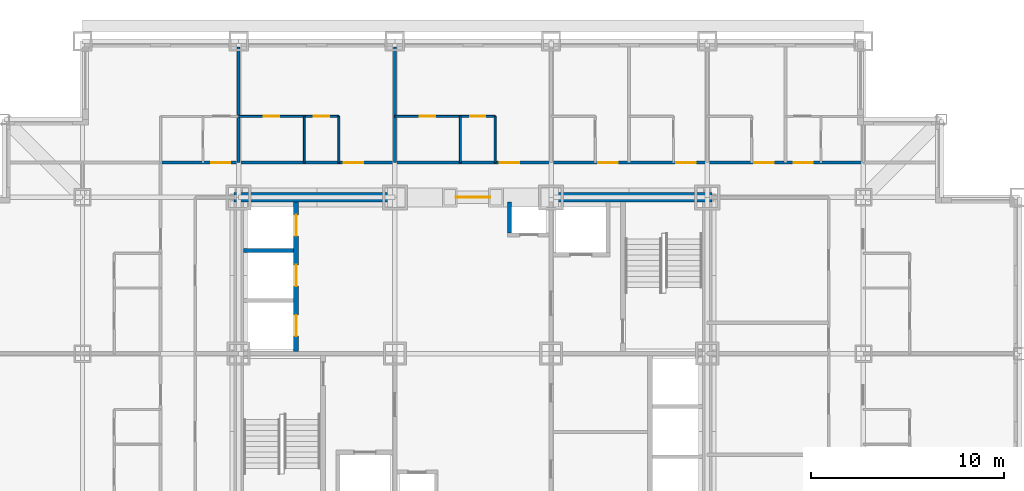
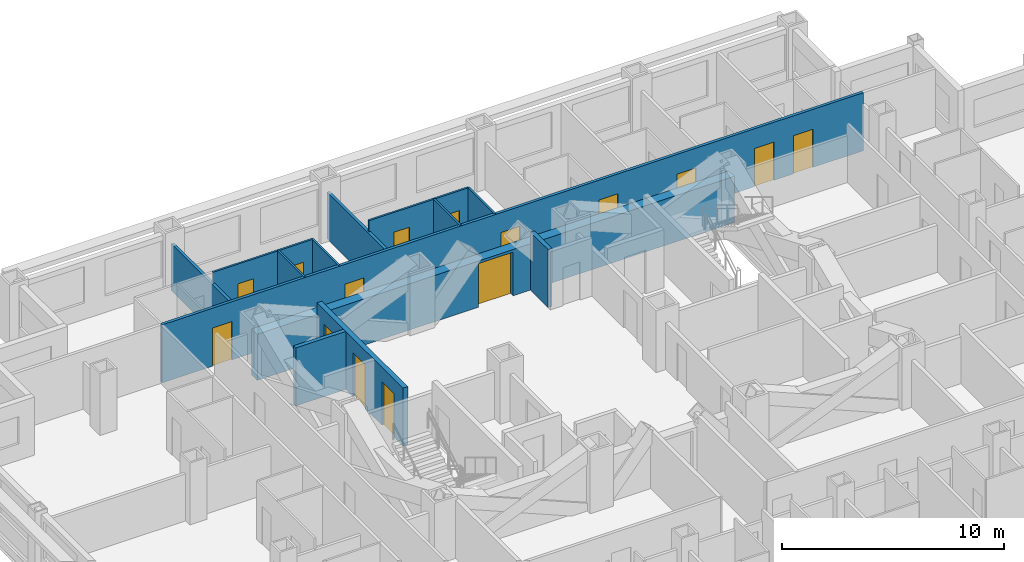
# One storey, part 8 of 11: 15 doors, 13 walls, 15 openings.
"""IFC4 building model written with IfcOpenShell, lengths in metres."""

from ifc_helpers import new_model, si_unit, direction, frame, frame_2d, origin, place, context, subcontext, project, spatial, rectangle, extrude, material, layer, layer_set, type_object, element, fill, save


model = new_model("IFC4")

# Units and contexts
model_context = context("Model", 3, precision=1e-05, world=origin(), true_north=direction((0.0, 1.0)))
body_context = subcontext(model_context, "Body", "Model", "MODEL_VIEW")
ifc_project = project(units=[si_unit("LENGTHUNIT", "METRE"), si_unit("AREAUNIT", "SQUARE_METRE"), si_unit("VOLUMEUNIT", "CUBIC_METRE"), si_unit("PLANEANGLEUNIT", "RADIAN"), si_unit("MASSUNIT", "GRAM", prefix="KILO")], contexts=[model_context])

# Site, building, storey
site_placement = place(None, origin())
site = spatial("IfcSite", under=ifc_project, at=site_placement, CompositionType="ELEMENT")
building_placement = place(site_placement, origin())
building = spatial("IfcBuilding", under=site, at=building_placement, Name="Kopane Lantern Tower", CompositionType="ELEMENT")
storey_placement = place(building_placement, frame((0.0, 0.0, 73.800048828125)))
storey = spatial("IfcBuildingStorey", under=building, at=storey_placement, Name="L18", CompositionType="ELEMENT", Elevation=73.800048828125)

# Wall, openings, doors
ifc_material_1 = material(Name="Moisture-resistant board on steel studs", Category="steel")
ifc_layer_1 = layer(ifc_material_1, 0.10009765625)
ifc_layer_set_1 = layer_set([ifc_layer_1], Name="BATHROOM WALL 100")
wall_type_1 = type_object("IfcWallType", Name="BATHROOM WALL 100", PredefinedType="PARTITIONING", material=ifc_layer_set_1)
wall_1_placement = place(storey_placement, frame((16.199951171875, 44.699951171875, 0.0), z_axis=(0.0, 0.0, 1.0), x_axis=(1.0, 0.0, 0.0)))
wall_1 = element("IfcWall", 1, at=wall_1_placement, inside=storey, type_object=wall_type_1, Name="Bathroom Wall 100 L18", PredefinedType="PARTITIONING", context=body_context, shape_type="SweptSolid", body=[
    extrude(rectangle(XDim=5.199951171875, YDim=0.10009765625, at=frame_2d((2.60009765625, 0.0))), origin(), (0.0, 0.0, 1.0), 3.18994140625),
])
opening_1_placement = place(wall_1_placement, frame((1.300048828125, 0.0, 0.0)))
opening_1 = element("IfcOpeningElement", 2, at=opening_1_placement, cuts=wall_1, Name="Opening L18-027", PredefinedType="OPENING", context=body_context, shape_type="SweptSolid", body=[
    extrude(rectangle(XDim=0.800048828125, YDim=2.10009765625, at=frame_2d((0.39990234375, 1.050048828125))), frame((0.0, 0.06005859375, 0.0), z_axis=(0.0, -1.0, 0.0), x_axis=(1.0, 0.0, 0.0)), (0.0, 0.0, 1.0), 0.1201171875),
])
opening_2_placement = place(wall_1_placement, frame((3.89990234375, 0.0, 0.0)))
opening_2 = element("IfcOpeningElement", 3, at=opening_2_placement, cuts=wall_1, Name="Opening L18-028", PredefinedType="OPENING", context=body_context, shape_type="SweptSolid", body=[
    extrude(rectangle(XDim=0.800048828125, YDim=2.10009765625, at=frame_2d((0.39990234375, 1.050048828125))), frame((0.0, 0.06005859375, 0.0), z_axis=(0.0, -1.0, 0.0), x_axis=(1.0, 0.0, 0.0)), (0.0, 0.0, 1.0), 0.1201171875),
])
ifc_material_2 = material(Name="Timber door set", Category="wood")
door_type_1 = type_object("IfcDoorType", Name="DOOR D2 800x2100", OperationType="SINGLE_SWING_LEFT", PredefinedType="DOOR", material=ifc_material_2)
door_1_placement = place(opening_1_placement, origin())
door_1 = element("IfcDoor", 4, at=door_1_placement, inside=storey, type_object=door_type_1, Name="Door L18-027", OperationType="SINGLE_SWING_LEFT", OverallHeight=2.10009765625, OverallWidth=0.800048828125, PredefinedType="DOOR", context=body_context, shape_type="SweptSolid", body=[
    extrude(rectangle(XDim=0.800048828125, YDim=2.10009765625, at=frame_2d((0.39990234375, 1.050048828125))), frame((0.0, 0.02490234375, 0.0), z_axis=(0.0, -1.0, 0.0), x_axis=(1.0, 0.0, 0.0)), (0.0, 0.0, 1.0), 0.050048828125),
])
fill(opening_1, door_1)
door_2_placement = place(opening_2_placement, origin())
door_2 = element("IfcDoor", 5, at=door_2_placement, inside=storey, type_object=door_type_1, Name="Door L18-028", OperationType="SINGLE_SWING_LEFT", OverallHeight=2.10009765625, OverallWidth=0.800048828125, PredefinedType="DOOR", context=body_context, shape_type="SweptSolid", body=[
    extrude(rectangle(XDim=0.800048828125, YDim=2.10009765625, at=frame_2d((0.39990234375, 1.050048828125))), frame((0.0, 0.02490234375, 0.0), z_axis=(0.0, -1.0, 0.0), x_axis=(1.0, 0.0, 0.0)), (0.0, 0.0, 1.0), 0.050048828125),
])
fill(opening_2, door_2)

# Walls
for number, where, z_axis, x_axis, name in (
    (6, (19.60009765625, 42.300048828125, 0.0), (0.0, 0.0, 1.0), (0.0, 1.0, 0.0), "Bathroom Wall 100 L18"),
    (7, (21.39990234375, 42.300048828125, 0.0), (0.0, 0.0, 1.0), (0.0, 1.0, 0.0), "Bathroom Wall 100 L18"),
):
    element("IfcWall", number, at=place(storey_placement, frame(where, z_axis=z_axis, x_axis=x_axis)), inside=storey, type_object=wall_type_1, Name=name, PredefinedType="PARTITIONING", context=body_context, shape_type="SweptSolid", body=[
        extrude(rectangle(XDim=2.39990234375, YDim=0.10009765625, at=frame_2d((1.199951171875, 0.0))), origin(), (0.0, 0.0, 1.0), 3.18994140625),
    ])

# Wall, openings, doors
wall_2_placement = place(storey_placement, frame((24.300048828125, 44.699951171875, 0.0), z_axis=(0.0, 0.0, 1.0), x_axis=(1.0, 0.0, 0.0)))
wall_2 = element("IfcWall", 8, at=wall_2_placement, inside=storey, type_object=wall_type_1, Name="Bathroom Wall 100 L18", PredefinedType="PARTITIONING", context=body_context, shape_type="SweptSolid", body=[
    extrude(rectangle(XDim=5.199951171875, YDim=0.10009765625, at=frame_2d((2.60009765625, 0.0))), origin(), (0.0, 0.0, 1.0), 3.18994140625),
])
opening_3_placement = place(wall_2_placement, frame((1.300048828125, 0.0, 0.0)))
opening_3 = element("IfcOpeningElement", 9, at=opening_3_placement, cuts=wall_2, Name="Opening L18-030", PredefinedType="OPENING", context=body_context, shape_type="SweptSolid", body=[
    extrude(rectangle(XDim=0.800048828125, YDim=2.10009765625, at=frame_2d((0.39990234375, 1.050048828125))), frame((0.0, 0.06005859375, 0.0), z_axis=(0.0, -1.0, 0.0), x_axis=(1.0, 0.0, 0.0)), (0.0, 0.0, 1.0), 0.1201171875),
])
opening_4_placement = place(wall_2_placement, frame((3.89990234375, 0.0, 0.0)))
opening_4 = element("IfcOpeningElement", 10, at=opening_4_placement, cuts=wall_2, Name="Opening L18-031", PredefinedType="OPENING", context=body_context, shape_type="SweptSolid", body=[
    extrude(rectangle(XDim=0.800048828125, YDim=2.10009765625, at=frame_2d((0.39990234375, 1.050048828125))), frame((0.0, 0.06005859375, 0.0), z_axis=(0.0, -1.0, 0.0), x_axis=(1.0, 0.0, 0.0)), (0.0, 0.0, 1.0), 0.1201171875),
])
door_3_placement = place(opening_3_placement, origin())
door_3 = element("IfcDoor", 11, at=door_3_placement, inside=storey, type_object=door_type_1, Name="Door L18-030", OperationType="SINGLE_SWING_LEFT", OverallHeight=2.10009765625, OverallWidth=0.800048828125, PredefinedType="DOOR", context=body_context, shape_type="SweptSolid", body=[
    extrude(rectangle(XDim=0.800048828125, YDim=2.10009765625, at=frame_2d((0.39990234375, 1.050048828125))), frame((0.0, 0.02490234375, 0.0), z_axis=(0.0, -1.0, 0.0), x_axis=(1.0, 0.0, 0.0)), (0.0, 0.0, 1.0), 0.050048828125),
])
fill(opening_3, door_3)
door_4_placement = place(opening_4_placement, origin())
door_4 = element("IfcDoor", 12, at=door_4_placement, inside=storey, type_object=door_type_1, Name="Door L18-031", OperationType="SINGLE_SWING_LEFT", OverallHeight=2.10009765625, OverallWidth=0.800048828125, PredefinedType="DOOR", context=body_context, shape_type="SweptSolid", body=[
    extrude(rectangle(XDim=0.800048828125, YDim=2.10009765625, at=frame_2d((0.39990234375, 1.050048828125))), frame((0.0, 0.02490234375, 0.0), z_axis=(0.0, -1.0, 0.0), x_axis=(1.0, 0.0, 0.0)), (0.0, 0.0, 1.0), 0.050048828125),
])
fill(opening_4, door_4)

# Walls
for number, where, z_axis, x_axis, name in (
    (13, (27.699951171875, 42.300048828125, 0.0), (0.0, 0.0, 1.0), (0.0, 1.0, 0.0), "Bathroom Wall 100 L18"),
    (14, (29.5, 42.300048828125, 0.0), (0.0, 0.0, 1.0), (0.0, 1.0, 0.0), "Bathroom Wall 100 L18"),
):
    element("IfcWall", number, at=place(storey_placement, frame(where, z_axis=z_axis, x_axis=x_axis)), inside=storey, type_object=wall_type_1, Name=name, PredefinedType="PARTITIONING", context=body_context, shape_type="SweptSolid", body=[
        extrude(rectangle(XDim=2.39990234375, YDim=0.10009765625, at=frame_2d((1.199951171875, 0.0))), origin(), (0.0, 0.0, 1.0), 3.18994140625),
    ])

# Wall, opening, door
ifc_material_3 = material(Name="Gypsum shaft wall EI 120", Category="gypsum")
ifc_layer_2 = layer(ifc_material_3, 0.5)
ifc_layer_set_2 = layer_set([ifc_layer_2], Name="CORE PERIMETER WALL 500 EI 120")
wall_type_2 = type_object("IfcWallType", Name="CORE PERIMETER WALL 500 EI 120", PredefinedType="SOLIDWALL", material=ifc_layer_set_2)
wall_3_placement = place(storey_placement, frame((15.949951171875, 40.5, 0.0), z_axis=(0.0, 0.0, 1.0), x_axis=(1.0, 0.0, 0.0)))
wall_3 = element("IfcWall", 15, at=wall_3_placement, inside=storey, type_object=wall_type_2, Name="Core shaft wall L18 PN", PredefinedType="SOLIDWALL", context=body_context, shape_type="SweptSolid", body=[
    extrude(rectangle(XDim=24.800048828125, YDim=0.5, at=frame_2d((12.39990234375, 0.0))), origin(), (0.0, 0.0, 1.0), 2.5400390625),
])
opening_5_placement = place(wall_3_placement, frame((11.5, 0.0, 0.0)))
opening_5 = element("IfcOpeningElement", 16, at=opening_5_placement, cuts=wall_3, Name="Opening 18.CE-N", PredefinedType="OPENING", context=body_context, shape_type="SweptSolid", body=[
    extrude(rectangle(XDim=1.800048828125, YDim=2.39990234375, at=frame_2d((0.89990234375, 1.199951171875))), frame((0.0, 0.260009765625, 0.0), z_axis=(0.0, -1.0, 0.0), x_axis=(1.0, 0.0, 0.0)), (0.0, 0.0, 1.0), 0.52001953125),
])
ifc_material_4 = material(Name="Steel door set", Category="steel")
door_type_2 = type_object("IfcDoorType", Name="CORE ENTRY DOOR 1800x2400 FD60S", OperationType="DOUBLE_DOOR_SINGLE_SWING", PredefinedType="DOOR", material=ifc_material_4)
door_5_placement = place(opening_5_placement, origin())
door_5 = element("IfcDoor", 17, at=door_5_placement, inside=storey, type_object=door_type_2, Name="Core entry door L18 north", OperationType="DOUBLE_DOOR_SINGLE_SWING", OverallHeight=2.39990234375, OverallWidth=1.800048828125, PredefinedType="DOOR", context=body_context, shape_type="SweptSolid", body=[
    extrude(rectangle(XDim=1.800048828125, YDim=2.39990234375, at=frame_2d((0.89990234375, 1.199951171875))), frame((0.0, 0.02490234375, 0.0), z_axis=(0.0, -1.0, 0.0), x_axis=(1.0, 0.0, 0.0)), (0.0, 0.0, 1.0), 0.050048828125),
])
fill(opening_5, door_5)

# Wall, openings, doors
ifc_material_5 = material(Name="Gypsum shaft wall EI 120", Category="gypsum")
ifc_layer_3 = layer(ifc_material_5, 0.25)
ifc_layer_set_3 = layer_set([ifc_layer_3], Name="CORE SHAFT WALL 250 EI 120")
wall_type_3 = type_object("IfcWallType", Name="CORE SHAFT WALL 250 EI 120", PredefinedType="SOLIDWALL", material=ifc_layer_set_3)
wall_4_placement = place(storey_placement, frame((19.175048828125, 32.5, 0.0), z_axis=(0.0, 0.0, 1.0), x_axis=(0.0, 1.0, 0.0)))
wall_4 = element("IfcWall", 18, at=wall_4_placement, inside=storey, type_object=wall_type_3, Name="Core shaft wall L18 XLH", PredefinedType="SOLIDWALL", context=body_context, shape_type="SweptSolid", body=[
    extrude(rectangle(XDim=7.75, YDim=0.25, at=frame_2d((3.875, 0.0))), origin(), (0.0, 0.0, 1.0), 3.18994140625),
])
opening_6_placement = place(wall_4_placement, frame((0.800048828125, 0.0, 0.0)))
opening_6 = element("IfcOpeningElement", 19, at=opening_6_placement, cuts=wall_4, Name="Opening 18.LD-LH1", PredefinedType="OPENING", context=body_context, shape_type="SweptSolid", body=[
    extrude(rectangle(XDim=1.10009765625, YDim=2.39990234375, at=frame_2d((0.550048828125, 1.199951171875))), frame((0.0, 0.135009765625, 0.0), z_axis=(0.0, -1.0, 0.0), x_axis=(1.0, 0.0, 0.0)), (0.0, 0.0, 1.0), 0.27001953125),
])
opening_7_placement = place(wall_4_placement, frame((3.39990234375, 0.0, 0.0)))
opening_7 = element("IfcOpeningElement", 20, at=opening_7_placement, cuts=wall_4, Name="Opening 18.LD-LH2", PredefinedType="OPENING", context=body_context, shape_type="SweptSolid", body=[
    extrude(rectangle(XDim=1.10009765625, YDim=2.39990234375, at=frame_2d((0.550048828125, 1.199951171875))), frame((0.0, 0.135009765625, 0.0), z_axis=(0.0, -1.0, 0.0), x_axis=(1.0, 0.0, 0.0)), (0.0, 0.0, 1.0), 0.27001953125),
])
opening_8_placement = place(wall_4_placement, frame((6.0, 0.0, 0.0)))
opening_8 = element("IfcOpeningElement", 21, at=opening_8_placement, cuts=wall_4, Name="Opening 18.LD-LH3", PredefinedType="OPENING", context=body_context, shape_type="SweptSolid", body=[
    extrude(rectangle(XDim=1.10009765625, YDim=2.39990234375, at=frame_2d((0.550048828125, 1.199951171875))), frame((0.0, 0.135009765625, 0.0), z_axis=(0.0, -1.0, 0.0), x_axis=(1.0, 0.0, 0.0)), (0.0, 0.0, 1.0), 0.27001953125),
])
ifc_material_6 = material(Name="Steel door set", Category="steel")
door_type_3 = type_object("IfcDoorType", Name="LIFT LANDING DOOR 1100x2400 FD60", OperationType="DOUBLE_DOOR_SLIDING", PredefinedType="DOOR", material=ifc_material_6)
door_6_placement = place(opening_6_placement, origin())
door_6 = element("IfcDoor", 22, at=door_6_placement, inside=storey, type_object=door_type_3, Name="Landing door LH1 L18", OperationType="DOUBLE_DOOR_SLIDING", OverallHeight=2.39990234375, OverallWidth=1.10009765625, PredefinedType="DOOR", context=body_context, shape_type="SweptSolid", body=[
    extrude(rectangle(XDim=1.10009765625, YDim=2.39990234375, at=frame_2d((0.550048828125, 1.199951171875))), frame((0.0, 0.02490234375, 0.0), z_axis=(0.0, -1.0, 0.0), x_axis=(1.0, 0.0, 0.0)), (0.0, 0.0, 1.0), 0.050048828125),
])
fill(opening_6, door_6)
door_7_placement = place(opening_7_placement, origin())
door_7 = element("IfcDoor", 23, at=door_7_placement, inside=storey, type_object=door_type_3, Name="Landing door LH2 L18", OperationType="DOUBLE_DOOR_SLIDING", OverallHeight=2.39990234375, OverallWidth=1.10009765625, PredefinedType="DOOR", context=body_context, shape_type="SweptSolid", body=[
    extrude(rectangle(XDim=1.10009765625, YDim=2.39990234375, at=frame_2d((0.550048828125, 1.199951171875))), frame((0.0, 0.02490234375, 0.0), z_axis=(0.0, -1.0, 0.0), x_axis=(1.0, 0.0, 0.0)), (0.0, 0.0, 1.0), 0.050048828125),
])
fill(opening_7, door_7)
door_8_placement = place(opening_8_placement, origin())
door_8 = element("IfcDoor", 24, at=door_8_placement, inside=storey, type_object=door_type_3, Name="Landing door LH3 L18", OperationType="DOUBLE_DOOR_SLIDING", OverallHeight=2.39990234375, OverallWidth=1.10009765625, PredefinedType="DOOR", context=body_context, shape_type="SweptSolid", body=[
    extrude(rectangle(XDim=1.10009765625, YDim=2.39990234375, at=frame_2d((0.550048828125, 1.199951171875))), frame((0.0, 0.02490234375, 0.0), z_axis=(0.0, -1.0, 0.0), x_axis=(1.0, 0.0, 0.0)), (0.0, 0.0, 1.0), 0.050048828125),
])
fill(opening_8, door_8)

ifc_material_7 = material(Name="Gypsum board on steel studs", Category="steel")
ifc_layer_4 = layer(ifc_material_7, 0.14990234375)
ifc_layer_set_4 = layer_set([ifc_layer_4], Name="CORRIDOR WALL 150 EI 60")
wall_type_4 = type_object("IfcWallType", Name="CORRIDOR WALL 150 EI 60", PredefinedType="PARTITIONING", material=ifc_layer_set_4)
wall_5_placement = place(storey_placement, frame((12.14990234375, 42.300048828125, 0.0), z_axis=(0.0, 0.0, 1.0), x_axis=(1.0, 0.0, 0.0)))
wall_5 = element("IfcWall", 25, at=wall_5_placement, inside=storey, type_object=wall_type_4, Name="Corridor Wall 150 Ei 60 L18", PredefinedType="PARTITIONING", context=body_context, shape_type="SweptSolid", body=[
    extrude(rectangle(XDim=36.4501953125, YDim=0.14990234375, at=frame_2d((18.22509765625, 0.0))), origin(), (0.0, 0.0, 1.0), 3.18994140625),
])
opening_9_placement = place(wall_5_placement, frame((9.5, 0.0, 0.0)))
opening_9 = element("IfcOpeningElement", 26, at=opening_9_placement, cuts=wall_5, Name="Opening L18-029", PredefinedType="OPENING", context=body_context, shape_type="SweptSolid", body=[
    extrude(rectangle(XDim=1.0, YDim=2.10009765625, at=frame_2d((0.5, 1.050048828125))), frame((0.0, 0.0849609375, 0.0), z_axis=(0.0, -1.0, 0.0), x_axis=(1.0, 0.0, 0.0)), (0.0, 0.0, 1.0), 0.169921875),
])
opening_10_placement = place(wall_5_placement, frame((17.60009765625, 0.0, 0.0)))
opening_10 = element("IfcOpeningElement", 27, at=opening_10_placement, cuts=wall_5, Name="Opening L18-032", PredefinedType="OPENING", context=body_context, shape_type="SweptSolid", body=[
    extrude(rectangle(XDim=1.0, YDim=2.10009765625, at=frame_2d((0.5, 1.050048828125))), frame((0.0, 0.0849609375, 0.0), z_axis=(0.0, -1.0, 0.0), x_axis=(1.0, 0.0, 0.0)), (0.0, 0.0, 1.0), 0.169921875),
])
opening_11_placement = place(wall_5_placement, frame((22.699951171875, 0.0, 0.0)))
opening_11 = element("IfcOpeningElement", 28, at=opening_11_placement, cuts=wall_5, Name="Opening L18-034", PredefinedType="OPENING", context=body_context, shape_type="SweptSolid", body=[
    extrude(rectangle(XDim=1.0, YDim=2.10009765625, at=frame_2d((0.5, 1.050048828125))), frame((0.0, 0.0849609375, 0.0), z_axis=(0.0, -1.0, 0.0), x_axis=(1.0, 0.0, 0.0)), (0.0, 0.0, 1.0), 0.169921875),
])
opening_12_placement = place(wall_5_placement, frame((26.75, 0.0, 0.0)))
opening_12 = element("IfcOpeningElement", 29, at=opening_12_placement, cuts=wall_5, Name="Opening L18-036", PredefinedType="OPENING", context=body_context, shape_type="SweptSolid", body=[
    extrude(rectangle(XDim=1.0, YDim=2.10009765625, at=frame_2d((0.5, 1.050048828125))), frame((0.0, 0.0849609375, 0.0), z_axis=(0.0, -1.0, 0.0), x_axis=(1.0, 0.0, 0.0)), (0.0, 0.0, 1.0), 0.169921875),
])
opening_13_placement = place(wall_5_placement, frame((30.800048828125, 0.0, 0.0)))
opening_13 = element("IfcOpeningElement", 30, at=opening_13_placement, cuts=wall_5, Name="Opening L18-038", PredefinedType="OPENING", context=body_context, shape_type="SweptSolid", body=[
    extrude(rectangle(XDim=1.0, YDim=2.10009765625, at=frame_2d((0.5, 1.050048828125))), frame((0.0, 0.0849609375, 0.0), z_axis=(0.0, -1.0, 0.0), x_axis=(1.0, 0.0, 0.0)), (0.0, 0.0, 1.0), 0.169921875),
])
opening_14_placement = place(wall_5_placement, frame((32.824951171875, 0.0, 0.0)))
opening_14 = element("IfcOpeningElement", 31, at=opening_14_placement, cuts=wall_5, Name="Opening L18-068", PredefinedType="OPENING", context=body_context, shape_type="SweptSolid", body=[
    extrude(rectangle(XDim=1.0, YDim=2.10009765625, at=frame_2d((0.5, 1.050048828125))), frame((0.0, 0.0849609375, 0.0), z_axis=(0.0, -1.0, 0.0), x_axis=(1.0, 0.0, 0.0)), (0.0, 0.0, 1.0), 0.169921875),
])
opening_15_placement = place(wall_5_placement, frame((2.625, 0.0, 0.0)))
opening_15 = element("IfcOpeningElement", 32, at=opening_15_placement, cuts=wall_5, Name="Opening L18-071", PredefinedType="OPENING", context=body_context, shape_type="SweptSolid", body=[
    extrude(rectangle(XDim=1.0, YDim=2.10009765625, at=frame_2d((0.5, 1.050048828125))), frame((0.0, 0.0849609375, 0.0), z_axis=(0.0, -1.0, 0.0), x_axis=(1.0, 0.0, 0.0)), (0.0, 0.0, 1.0), 0.169921875),
])
ifc_material_8 = material(Name="Steel door set", Category="steel")
door_type_4 = type_object("IfcDoorType", Name="DOOR D1 1000x2100 FD30S", OperationType="SINGLE_SWING_LEFT", PredefinedType="DOOR", material=ifc_material_8)
door_9_placement = place(opening_9_placement, origin())
door_9 = element("IfcDoor", 33, at=door_9_placement, inside=storey, type_object=door_type_4, Name="Door L18-029", OperationType="SINGLE_SWING_LEFT", OverallHeight=2.10009765625, OverallWidth=1.0, PredefinedType="DOOR", context=body_context, shape_type="SweptSolid", body=[
    extrude(rectangle(XDim=1.0, YDim=2.10009765625, at=frame_2d((0.5, 1.050048828125))), frame((0.0, 0.02490234375, 0.0), z_axis=(0.0, -1.0, 0.0), x_axis=(1.0, 0.0, 0.0)), (0.0, 0.0, 1.0), 0.050048828125),
])
fill(opening_9, door_9)
door_10_placement = place(opening_10_placement, origin())
door_10 = element("IfcDoor", 34, at=door_10_placement, inside=storey, type_object=door_type_4, Name="Door L18-032", OperationType="SINGLE_SWING_LEFT", OverallHeight=2.10009765625, OverallWidth=1.0, PredefinedType="DOOR", context=body_context, shape_type="SweptSolid", body=[
    extrude(rectangle(XDim=1.0, YDim=2.10009765625, at=frame_2d((0.5, 1.050048828125))), frame((0.0, 0.02490234375, 0.0), z_axis=(0.0, -1.0, 0.0), x_axis=(1.0, 0.0, 0.0)), (0.0, 0.0, 1.0), 0.050048828125),
])
fill(opening_10, door_10)
door_11_placement = place(opening_11_placement, origin())
door_11 = element("IfcDoor", 35, at=door_11_placement, inside=storey, type_object=door_type_4, Name="Door L18-034", OperationType="SINGLE_SWING_LEFT", OverallHeight=2.10009765625, OverallWidth=1.0, PredefinedType="DOOR", context=body_context, shape_type="SweptSolid", body=[
    extrude(rectangle(XDim=1.0, YDim=2.10009765625, at=frame_2d((0.5, 1.050048828125))), frame((0.0, 0.02490234375, 0.0), z_axis=(0.0, -1.0, 0.0), x_axis=(1.0, 0.0, 0.0)), (0.0, 0.0, 1.0), 0.050048828125),
])
fill(opening_11, door_11)
door_12_placement = place(opening_12_placement, origin())
door_12 = element("IfcDoor", 36, at=door_12_placement, inside=storey, type_object=door_type_4, Name="Door L18-036", OperationType="SINGLE_SWING_LEFT", OverallHeight=2.10009765625, OverallWidth=1.0, PredefinedType="DOOR", context=body_context, shape_type="SweptSolid", body=[
    extrude(rectangle(XDim=1.0, YDim=2.10009765625, at=frame_2d((0.5, 1.050048828125))), frame((0.0, 0.02490234375, 0.0), z_axis=(0.0, -1.0, 0.0), x_axis=(1.0, 0.0, 0.0)), (0.0, 0.0, 1.0), 0.050048828125),
])
fill(opening_12, door_12)
door_13_placement = place(opening_13_placement, origin())
door_13 = element("IfcDoor", 37, at=door_13_placement, inside=storey, type_object=door_type_4, Name="Door L18-038", OperationType="SINGLE_SWING_LEFT", OverallHeight=2.10009765625, OverallWidth=1.0, PredefinedType="DOOR", context=body_context, shape_type="SweptSolid", body=[
    extrude(rectangle(XDim=1.0, YDim=2.10009765625, at=frame_2d((0.5, 1.050048828125))), frame((0.0, 0.02490234375, 0.0), z_axis=(0.0, -1.0, 0.0), x_axis=(1.0, 0.0, 0.0)), (0.0, 0.0, 1.0), 0.050048828125),
])
fill(opening_13, door_13)
door_14_placement = place(opening_14_placement, origin())
door_14 = element("IfcDoor", 38, at=door_14_placement, inside=storey, type_object=door_type_4, Name="Door L18-068", OperationType="SINGLE_SWING_LEFT", OverallHeight=2.10009765625, OverallWidth=1.0, PredefinedType="DOOR", context=body_context, shape_type="SweptSolid", body=[
    extrude(rectangle(XDim=1.0, YDim=2.10009765625, at=frame_2d((0.5, 1.050048828125))), frame((0.0, 0.02490234375, 0.0), z_axis=(0.0, -1.0, 0.0), x_axis=(1.0, 0.0, 0.0)), (0.0, 0.0, 1.0), 0.050048828125),
])
fill(opening_14, door_14)
door_15_placement = place(opening_15_placement, origin())
door_15 = element("IfcDoor", 39, at=door_15_placement, inside=storey, type_object=door_type_4, Name="Door L18-071", OperationType="SINGLE_SWING_LEFT", OverallHeight=2.10009765625, OverallWidth=1.0, PredefinedType="DOOR", context=body_context, shape_type="SweptSolid", body=[
    extrude(rectangle(XDim=1.0, YDim=2.10009765625, at=frame_2d((0.5, 1.050048828125))), frame((0.0, 0.02490234375, 0.0), z_axis=(0.0, -1.0, 0.0), x_axis=(1.0, 0.0, 0.0)), (0.0, 0.0, 1.0), 0.050048828125),
])
fill(opening_15, door_15)

# Walls
ifc_material_9 = material(Name="Gypsum board on steel studs", Category="steel")
ifc_layer_5 = layer(ifc_material_9, 0.14990234375)
ifc_layer_set_5 = layer_set([ifc_layer_5], Name="DEMISING WALL 150 EI 60")
wall_type_5 = type_object("IfcWallType", Name="DEMISING WALL 150 EI 60", PredefinedType="PARTITIONING", material=ifc_layer_set_5)
for number, where, z_axis, x_axis, name in (
    (40, (24.300048828125, 42.300048828125, 0.0), (0.0, 0.0, 1.0), (0.0, 1.0, 0.0), "Demising Wall 150 Ei 60 L18"),
    (41, (16.199951171875, 42.300048828125, 0.0), (0.0, 0.0, 1.0), (0.0, 1.0, 0.0), "Demising Wall 150 Ei 60 L18"),
):
    element("IfcWall", number, at=place(storey_placement, frame(where, z_axis=z_axis, x_axis=x_axis)), inside=storey, type_object=wall_type_5, Name=name, PredefinedType="PARTITIONING", context=body_context, shape_type="SweptSolid", body=[
        extrude(rectangle(XDim=6.0, YDim=0.14990234375, at=frame_2d((3.0, 0.0))), origin(), (0.0, 0.0, 1.0), 2.57763671875),
    ])
ifc_material_10 = material(Name="Gypsum shaft wall EI 120", Category="gypsum")
ifc_layer_6 = layer(ifc_material_10, 0.199951171875)
ifc_layer_set_6 = layer_set([ifc_layer_6], Name="SHAFT WALL 200 EI 120")
wall_type_6 = type_object("IfcWallType", Name="SHAFT WALL 200 EI 120", PredefinedType="SOLIDWALL", material=ifc_layer_set_6)
wall_6_placement = place(storey_placement, frame((16.449951171875, 37.75, 0.0), z_axis=(0.0, 0.0, 1.0), x_axis=(1.0, 0.0, 0.0)))
element("IfcWall", 42, at=wall_6_placement, inside=storey, type_object=wall_type_6, Name="Core shaft wall L18 YLH23", PredefinedType="SOLIDWALL", context=body_context, shape_type="SweptSolid", body=[
    extrude(rectangle(XDim=2.60009765625, YDim=0.199951171875, at=frame_2d((1.300048828125, 0.0))), origin(), (0.0, 0.0, 1.0), 3.18994140625),
])
wall_7_placement = place(storey_placement, frame((30.25, 38.64990234375, 0.0), z_axis=(0.0, 0.0, 1.0), x_axis=(0.0, 1.0, 0.0)))
element("IfcWall", 43, at=wall_7_placement, inside=storey, type_object=wall_type_6, Name="Core shaft wall L18 XRS2", PredefinedType="SOLIDWALL", context=body_context, shape_type="SweptSolid", body=[
    extrude(rectangle(XDim=1.60009765625, YDim=0.199951171875, at=frame_2d((0.800048828125, 0.0))), origin(), (0.0, 0.0, 1.0), 3.18994140625),
])

save(model, "model.ifc")
